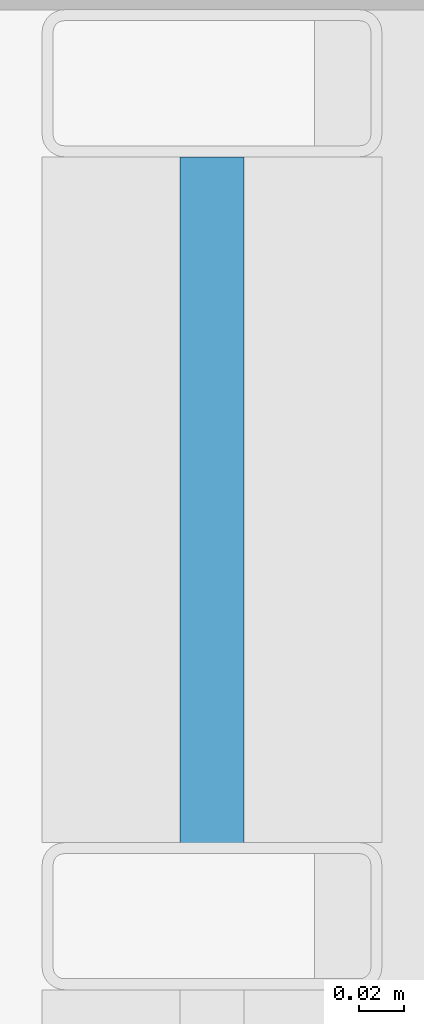
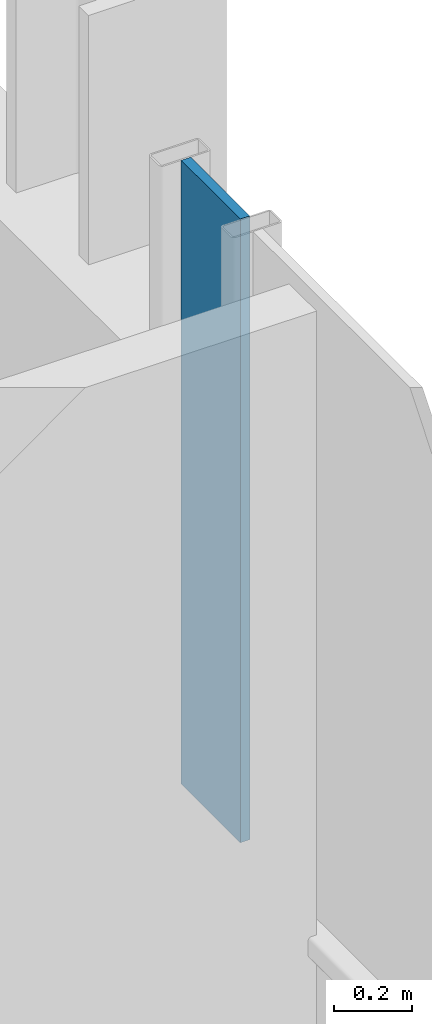
# One storey, part 30 of 41: 1 plate, 1 element without a shape of its own.
"""IFC4 building model written with IfcOpenShell, lengths in metres."""

import ifcopenshell
import ifcopenshell.guid

model = None  # the IFC model being written
_history = None  # IfcOwnerHistory: only IFC2X3 demands one
_inside = {}  # id of a spatial element -> (the spatial element, [elements in it])
_under = {}  # id of a project, library or spatial element -> (it, [spatial elements below it])
_declared = {}  # id of a project -> (the project, [libraries it declares])
_typed = {}  # id of a type object -> (the type object, [elements of that type])
_made_of = {}  # id of a material, layer set ... -> (it, [elements and type objects made of it])


def new_model(schema):
    """Start an empty IFC model of exactly this schema.

    Asked for "IFC4X3", IfcOpenShell would pick the latest addendum, in which some entities
    have other attributes; the version numbers below select the first issue.
    IFC2X3 requires an IfcOwnerHistory on every rooted entity: one is made here for all.
    """
    global model, _history
    if schema == "IFC4X3":
        model = ifcopenshell.file(schema_version=(4, 3, 0, 0))
    else:
        model = ifcopenshell.file(schema=schema)
    _inside.clear()
    _under.clear()
    _declared.clear()
    _typed.clear()
    _made_of.clear()
    _history = None
    if model.schema == "IFC2X3":
        org = make("IfcOrganization", Name="unknown")
        user = make(
            "IfcPersonAndOrganization",
            ThePerson=make("IfcPerson", FamilyName="unknown"),
            TheOrganization=org,
        )
        app = make(
            "IfcApplication",
            ApplicationDeveloper=org,
            Version="unknown",
            ApplicationFullName="unknown",
            ApplicationIdentifier="unknown",
        )
        _history = make(
            "IfcOwnerHistory",
            OwningUser=user,
            OwningApplication=app,
            ChangeAction="ADDED",
            CreationDate=0,
        )
    return model


def make(cls, **values):
    """One entity of the class cls with the attributes given. An attribute that is None is left unset."""
    return model.create_entity(
        cls, **{name: value for name, value in values.items() if value is not None}
    )


def rooted(cls, **values):
    """An entity with a GlobalId (a new one), such as an element, a storey or a relation."""
    return make(cls, GlobalId=ifcopenshell.guid.new(), OwnerHistory=_history, **values)


def si_unit(unit_type, name, prefix=None):
    """IfcSIUnit, for example si_unit("LENGTHUNIT", "METRE", prefix="MILLI")."""
    return make("IfcSIUnit", UnitType=unit_type, Prefix=prefix, Name=name)


def assignment(units):
    """IfcUnitAssignment: the units of a project."""
    return None if units is None else make("IfcUnitAssignment", Units=units)


def point(xyz):
    """IfcCartesianPoint."""
    return None if xyz is None else make("IfcCartesianPoint", Coordinates=xyz)


def direction(xyz):
    """IfcDirection."""
    return None if xyz is None else make("IfcDirection", DirectionRatios=xyz)


def frame(location, z_axis=None, x_axis=None):
    """IfcAxis2Placement3D, a coordinate frame: its origin and axes. An axis left out is left unset."""
    return make(
        "IfcAxis2Placement3D",
        Location=point(location),
        Axis=direction(z_axis),
        RefDirection=direction(x_axis),
    )


def frame_2d(location, x_axis=None):
    """IfcAxis2Placement2D, a coordinate frame in the plane: its origin and x axis."""
    return make(
        "IfcAxis2Placement2D", Location=point(location), RefDirection=direction(x_axis)
    )


def origin():
    """The frame at (0, 0, 0) with its axes left unset."""
    return frame((0.0, 0.0, 0.0))


def origin_2d():
    """The frame at (0, 0) in the plane with its x axis left unset."""
    return frame_2d((0.0, 0.0))


def place(relative_to, where):
    """IfcLocalPlacement: puts the frame where relative to a parent placement (None: the world)."""
    return make(
        "IfcLocalPlacement", PlacementRelTo=relative_to, RelativePlacement=where
    )


def context(
    kind, dimensions, precision=None, world=None, true_north=None, identifier=None
):
    """IfcGeometricRepresentationContext, for example the 3D "Model" context."""
    return make(
        "IfcGeometricRepresentationContext",
        ContextIdentifier=identifier,
        ContextType=kind,
        CoordinateSpaceDimension=dimensions,
        Precision=precision,
        WorldCoordinateSystem=world,
        TrueNorth=true_north,
    )


def subcontext(parent, identifier, kind, view, scale=None):
    """IfcGeometricRepresentationSubContext, for example "Body" below "Model"."""
    return make(
        "IfcGeometricRepresentationSubContext",
        ContextIdentifier=identifier,
        ContextType=kind,
        ParentContext=parent,
        TargetScale=scale,
        TargetView=view,
    )


def project(units=None, contexts=None):
    """IfcProject with its units and contexts."""
    return rooted(
        "IfcProject",
        Name="project",
        RepresentationContexts=contexts,
        UnitsInContext=assignment(units),
    )


def spatial(cls, under=None, at=None, **own):
    """A site, building, storey or space (cls), placed at a placement, below another one or the project."""
    s = rooted(cls, ObjectPlacement=at, **own)
    if under is not None:
        _under.setdefault(under.id(), (under, []))[1].append(s)
    return s


def profile(cls, at=None, kind="AREA", **sizes):
    """A parametric profile (cls). Its sizes go by their IFC names, for example OverallWidth=200.0."""
    return make(cls, ProfileType=kind, Position=at, **sizes)


def rectangle(**sizes):
    """IfcRectangleProfileDef."""
    return profile("IfcRectangleProfileDef", **sizes)


def extrude(swept, where, along, depth):
    """IfcExtrudedAreaSolid: the profile swept, set in the frame where, extruded along a direction by depth."""
    return make(
        "IfcExtrudedAreaSolid",
        SweptArea=swept,
        Position=where,
        ExtrudedDirection=direction(along),
        Depth=depth,
    )


def shape(context_of_items, identifier, shape_type, items):
    """IfcShapeRepresentation: the items that make up one representation, for example the "Body"."""
    return make(
        "IfcShapeRepresentation",
        ContextOfItems=context_of_items,
        RepresentationIdentifier=identifier,
        RepresentationType=shape_type,
        Items=items,
    )


def material(Name=None, Category=None):
    """IfcMaterial."""
    return make("IfcMaterial", Name=Name, Category=Category)


def layer(
    of_material, thickness, ventilated=None, Name=None, Category=None, Priority=None
):
    """IfcMaterialLayer: one layer of a wall or slab, of a material (None: an air gap)."""
    return make(
        "IfcMaterialLayer",
        Material=of_material,
        LayerThickness=thickness,
        IsVentilated=ventilated,
        Name=Name,
        Category=Category,
        Priority=Priority,
    )


def layer_set(layers, Name=None):
    """IfcMaterialLayerSet."""
    return make("IfcMaterialLayerSet", MaterialLayers=layers, LayerSetName=Name)


def made_of(thing, what):
    """Note that an element or type object is made of a material, layer set ...; save() writes the relation."""
    if what is not None:
        _made_of.setdefault(what.id(), (what, []))[1].append(thing)
    return thing


def type_object(cls, material=None, **own):
    """A type object (cls), such as IfcWallType, which elements share."""
    return made_of(rooted(cls, **own), material)


def element(
    cls,
    number,
    at=None,
    inside=None,
    cuts=None,
    type_object=None,
    material=None,
    context=None,
    identifier="Body",
    shape_type=None,
    held_by="IfcProductDefinitionShape",
    body=None,
    shapes=None,
    **own,
):
    """One element of the class cls, such as IfcWall. Its Tag is "e" and its number.

    at: its placement. inside: the storey or other place that contains it. cuts: it is an
    opening in that element (IfcRelVoidsElement). A single representation is given by context,
    identifier, shape_type and body (its items); several are given by shapes. held_by: the class
    of the entity that holds the representations. save() writes the other relations.
    """
    e = rooted(cls, Tag="e%d" % number, ObjectPlacement=at, **own)
    if body is not None:
        shapes = [shape(context, identifier, shape_type, body)]
    if shapes is not None:
        e.Representation = make(held_by, Representations=shapes)
    if inside is not None:
        _inside.setdefault(inside.id(), (inside, []))[1].append(e)
    if cuts is not None:
        rooted(
            "IfcRelVoidsElement", RelatingBuildingElement=cuts, RelatedOpeningElement=e
        )
    if type_object is not None:
        _typed.setdefault(type_object.id(), (type_object, []))[1].append(e)
    return made_of(e, material)


def aggregate(whole, parts):
    """IfcRelAggregates: a whole, such as a stair, and the parts it consists of."""
    return rooted("IfcRelAggregates", RelatingObject=whole, RelatedObjects=parts)


def save(model, path):
    """Write the relations noted so far, then the file.

    IfcRelAggregates (storeys below a building ...), IfcRelContainedInSpatialStructure (elements
    in a storey), IfcRelDefinesByType, IfcRelAssociatesMaterial and IfcRelDeclares: one each for
    every whole, place, type object, material and project.
    """
    for whole, parts in _under.values():
        aggregate(whole, parts)
    for where, things in _inside.values():
        rooted(
            "IfcRelContainedInSpatialStructure",
            RelatedElements=things,
            RelatingStructure=where,
        )
    for kind, things in _typed.values():
        rooted("IfcRelDefinesByType", RelatedObjects=things, RelatingType=kind)
    for what, things in _made_of.values():
        rooted("IfcRelAssociatesMaterial", RelatedObjects=things, RelatingMaterial=what)
    for by, libraries in _declared.values():
        rooted("IfcRelDeclares", RelatingContext=by, RelatedDefinitions=libraries)
    model.write(path)


model = new_model("IFC4")

# Units and contexts
model_context = context("Model", 3, precision=1e-05, world=origin(), true_north=direction((0.0, 1.0)))
body_context = subcontext(model_context, "Body", "Model", "MODEL_VIEW")
ifc_project = project(units=[si_unit("LENGTHUNIT", "METRE"), si_unit("AREAUNIT", "SQUARE_METRE"), si_unit("VOLUMEUNIT", "CUBIC_METRE"), si_unit("PLANEANGLEUNIT", "RADIAN"), si_unit("MASSUNIT", "GRAM", prefix="KILO")], contexts=[model_context])

# Site, building, storey
site_placement = place(None, origin())
site = spatial("IfcSite", under=ifc_project, at=site_placement, CompositionType="ELEMENT")
building_placement = place(site_placement, origin())
building = spatial("IfcBuilding", under=site, at=building_placement, Name="Brevholm Reach", CompositionType="ELEMENT")
storey_placement = place(building_placement, frame((0.0, 0.0, 157.300048828125)))
storey = spatial("IfcBuildingStorey", under=building, at=storey_placement, Name="L47", CompositionType="ELEMENT", Elevation=157.300048828125)

# Curtain wall, plate
ifc_material_1 = material(Name="Dark Anodised Aluminium 6063-T6 and Solar-Control Glass", Category="aluminium")
ifc_layer_1 = layer(ifc_material_1, 0.14990234375)
ifc_layer_set_1 = layer_set([ifc_layer_1], Name="Dark Anodised Aluminium 6063-T6 and Solar-Control Glass")
curtain_wall_type = type_object("IfcCurtainWallType", Name="CW-01", PredefinedType="NOTDEFINED", material=ifc_layer_set_1)
curtain_wall_placement = place(storey_placement, origin())
curtain_wall = element("IfcCurtainWall", 1, at=curtain_wall_placement, inside=storey, type_object=curtain_wall_type, Name="L47 Curtain Wall CW-01", PredefinedType="NOTDEFINED")
ifc_material_2 = material(Name="Dark Solar-Control Double-Glazed IGU Glass", Category="glass")
ifc_layer_2 = layer(ifc_material_2, 0.028076171875)
ifc_layer_set_2 = layer_set([ifc_layer_2], Name="Dark Solar-Control Double-Glazed IGU Glass")
plate_type = type_object("IfcPlateType", Name="CWP-GLZ-28", PredefinedType="CURTAIN_PANEL", material=ifc_layer_set_2)
plate_placement = place(storey_placement, frame((59.85009765625, 22.733642578125, 0.9326171875), z_axis=(0.0, 0.0, 1.0), x_axis=(0.0, 1.0, 0.0)))
plate = element("IfcPlate", 2, at=plate_placement, type_object=plate_type, Name="CP-01 Glazing Panel 5.2", PredefinedType="CURTAIN_PANEL", context=body_context, shape_type="SweptSolid", body=[
    extrude(rectangle(XDim=0.302490234375, YDim=0.028076171875, at=origin_2d()), origin(), (0.0, 0.0, 1.0), 1.947509765625),
])
aggregate(curtain_wall, [plate])

save(model, "model.ifc")
